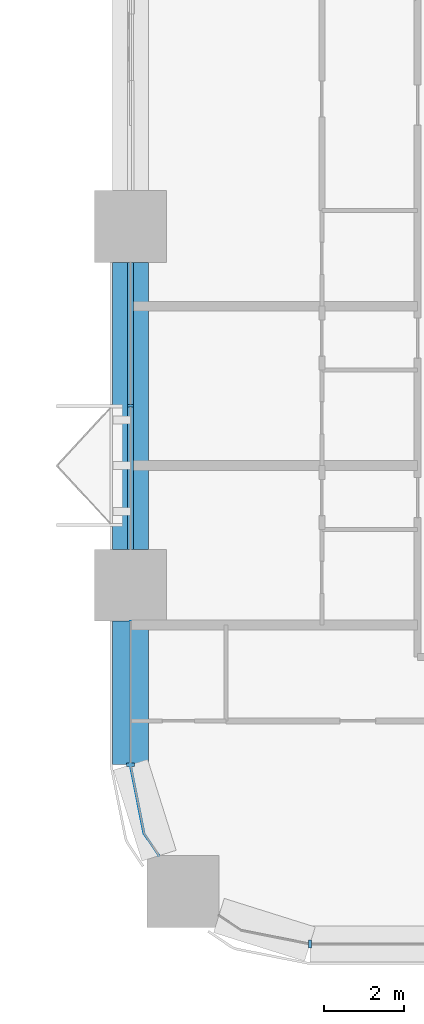
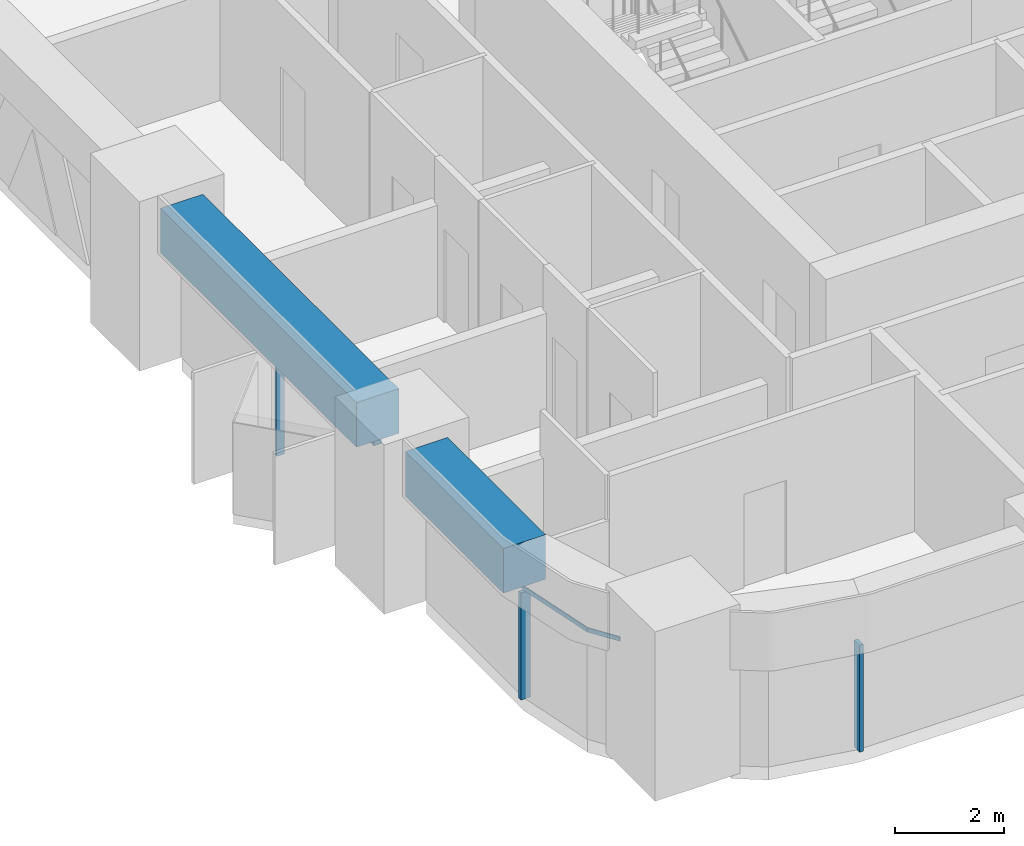
# One storey, part 2 of 24: 5 members, 2 beams, 3 elements without a shape of their own.
"""IFC4 building model written with IfcOpenShell, lengths in metres."""

from ifc_helpers import new_model, si_unit, direction, frame, origin, origin_2d, place, context, subcontext, project, spatial, polyline, rectangle, outline, extrude, material, material_profile, profile_set, type_object, element, aggregate, save


model = new_model("IFC4")

# Units and contexts
model_context = context("Model", 3, precision=1e-05, world=origin(), true_north=direction((0.0, 1.0)))
body_context = subcontext(model_context, "Body", "Model", "MODEL_VIEW")
ifc_project = project(units=[si_unit("LENGTHUNIT", "METRE"), si_unit("AREAUNIT", "SQUARE_METRE"), si_unit("VOLUMEUNIT", "CUBIC_METRE"), si_unit("PLANEANGLEUNIT", "RADIAN"), si_unit("MASSUNIT", "GRAM", prefix="KILO")], contexts=[model_context])

# Site, building, storey
site_placement = place(None, origin())
site = spatial("IfcSite", under=ifc_project, at=site_placement, CompositionType="ELEMENT")
building_placement = place(site_placement, origin())
building = spatial("IfcBuilding", under=site, at=building_placement, Name="Tessera Arch", CompositionType="ELEMENT")
storey_placement = place(building_placement, frame((0.0, 0.0, 81.60009765625)))
storey = spatial("IfcBuildingStorey", under=building, at=storey_placement, Name="L18", CompositionType="ELEMENT", Elevation=81.60009765625)

# Curtain wall, members
ifc_material_1 = material(Name="CW1 curtain wall")
curtain_wall_type_1 = type_object("IfcCurtainWallType", Name="CW1 curtain wall", PredefinedType="NOTDEFINED", material=ifc_material_1)
curtain_wall_1_placement = place(storey_placement, origin())
curtain_wall_1 = element("IfcCurtainWall", 1, at=curtain_wall_1_placement, inside=storey, type_object=curtain_wall_type_1, Name="CW1 curtain wall W27.0/1 L18", PredefinedType="NOTDEFINED")
ifc_material_2 = material(Name="Anodised aluminium pale metal", Category="aluminium")
ifc_material_profile_1 = material_profile(ifc_material_2, rectangle(XDim=0.159912109375, YDim=0.06005859375, at=origin_2d()), Name="AL 60x160")
ifc_profile_set_1 = profile_set([ifc_material_profile_1], Name="Anodised aluminium pale metal")
member_type_1 = type_object("IfcMemberType", Name="CW1 mullion", PredefinedType="MULLION", material=ifc_profile_set_1)
member_1_placement = place(storey_placement, frame((27.0, 13.5, 0.0), z_axis=(0.0, 0.0, 1.0), x_axis=(1.0, 0.0, 0.0)))
member_1 = element("IfcMember", 2, at=member_1_placement, type_object=member_type_1, Name="CW1 mullion W27.0/1 1", PredefinedType="MULLION", context=body_context, shape_type="SweptSolid", body=[
    extrude(rectangle(XDim=0.159912109375, YDim=0.06005859375, at=origin_2d()), origin(), (0.0, 0.0, 1.0), 2.39990234375),
])
ifc_material_3 = material(Name="Anodised aluminium pale metal", Category="aluminium")
ifc_material_profile_2 = material_profile(ifc_material_3, rectangle(XDim=0.159912109375, YDim=0.10009765625, at=origin_2d()), Name="AL 160x100")
ifc_profile_set_2 = profile_set([ifc_material_profile_2], Name="Anodised aluminium pale metal")
member_type_2 = type_object("IfcMemberType", Name="CW1 transom", PredefinedType="USERDEFINED", material=ifc_profile_set_2)
member_2_placement = place(storey_placement, frame((27.0, 17.10009765625, 2.449951171875), z_axis=(0.0, -1.0, 0.0), x_axis=(1.0, 0.0, 0.0)))
member_2 = element("IfcMember", 3, at=member_2_placement, type_object=member_type_2, Name="CW1 transom W27.0/1 1.1", ObjectType="TRANSOM", PredefinedType="USERDEFINED", context=body_context, shape_type="SweptSolid", body=[
    extrude(rectangle(XDim=0.159912109375, YDim=0.10009765625, at=origin_2d()), origin(), (0.0, 0.0, 1.0), 7.2001953125),
])
aggregate(curtain_wall_1, [member_1, member_2])

# Curtain wall, member
ifc_material_4 = material(Name="CW2 curtain wall")
curtain_wall_type_2 = type_object("IfcCurtainWallType", Name="CW2 curtain wall", PredefinedType="NOTDEFINED", material=ifc_material_4)
curtain_wall_2_placement = place(storey_placement, origin())
curtain_wall_2 = element("IfcCurtainWall", 4, at=curtain_wall_2_placement, inside=storey, type_object=curtain_wall_type_2, Name="CW2 curtain wall W27.0/2 L18", PredefinedType="NOTDEFINED")
ifc_material_5 = material(Name="Anodised aluminium pale metal", Category="aluminium")
ifc_material_profile_3 = material_profile(ifc_material_5, rectangle(XDim=0.199951171875, YDim=0.080078125, at=origin_2d()), Name="AL 80x200")
ifc_profile_set_3 = profile_set([ifc_material_profile_3], Name="Anodised aluminium pale metal")
member_type_3 = type_object("IfcMemberType", Name="CW2 mullion", PredefinedType="MULLION", material=ifc_profile_set_3)
member_3_placement = place(storey_placement, frame((27.0, 4.5, 0.0), z_axis=(0.0, 0.0, 1.0), x_axis=(1.0, 0.0, 0.0)))
member_3 = element("IfcMember", 5, at=member_3_placement, type_object=member_type_3, Name="CW2 mullion W27.0/2 1", PredefinedType="MULLION", context=body_context, shape_type="SweptSolid", body=[
    extrude(rectangle(XDim=0.199951171875, YDim=0.080078125, at=origin_2d()), origin(), (0.0, 0.0, 1.0), 2.39990234375),
])

curtain_wall_3_placement = place(storey_placement, origin())
curtain_wall_3 = element("IfcCurtainWall", 6, at=curtain_wall_3_placement, inside=storey, type_object=curtain_wall_type_2, Name="CW2 curtain wall S0.27/0 L18", PredefinedType="NOTDEFINED")
member_4_placement = place(storey_placement, frame((31.5, 0.0, 0.0), z_axis=(0.0, 0.0, 1.0), x_axis=(0.0, 1.0, 0.0)))
member_4 = element("IfcMember", 7, at=member_4_placement, type_object=member_type_3, Name="CW2 mullion S0.27/0 1", PredefinedType="MULLION", context=body_context, shape_type="SweptSolid", body=[
    extrude(rectangle(XDim=0.199951171875, YDim=0.080078125, at=origin_2d()), origin(), (0.0, 0.0, 1.0), 2.39990234375),
])
aggregate(curtain_wall_3, [member_4])

# Member
ifc_material_6 = material(Name="Anodised aluminium pale metal", Category="aluminium")
ifc_material_profile_4 = material_profile(ifc_material_6, rectangle(XDim=0.199951171875, YDim=0.10009765625, at=origin_2d()), Name="AL 200x100")
ifc_profile_set_4 = profile_set([ifc_material_profile_4], Name="Anodised aluminium pale metal")
member_type_4 = type_object("IfcMemberType", Name="CW2 transom", PredefinedType="USERDEFINED", material=ifc_profile_set_4)
member_5_placement = place(storey_placement, frame((0.0, 0.0, 2.39990234375)))
member_5 = element("IfcMember", 8, at=member_5_placement, type_object=member_type_4, Name="CW2 transom W27.0/2 1", ObjectType="TRANSOM", PredefinedType="USERDEFINED", context=body_context, shape_type="SweptSolid", body=[
    extrude(outline(polyline([(27.010009765625, 4.5009765625), (27.010009765625, 8.10009765625), (26.989990234375, 8.10009765625), (26.989990234375, 4.4990234375), (27.3330078125, 2.77392578125), (27.70849609375, 2.21240234375), (27.72509765625, 2.2236328125), (27.351806640625, 2.78173828125), (27.010009765625, 4.5009765625)])), origin(), (0.0, 0.0, 1.0), 0.10009765625),
])

aggregate(curtain_wall_2, [member_3, member_5])

# Beams
ifc_material_7 = material(Name="Concrete C80/95", Category="concrete")
ifc_material_profile_5 = material_profile(ifc_material_7, rectangle(XDim=0.89990234375, YDim=1.0, at=origin_2d()), Name="RC spandrel beam 900 x 1000 Concrete C80/95")
ifc_profile_set_5 = profile_set([ifc_material_profile_5], Name="Concrete C80/95")
beam_type = type_object("IfcBeamType", Name="RC spandrel beam 900 x 1000 Concrete C80/95", PredefinedType="BEAM", material=ifc_profile_set_5)
beam_1_placement = place(storey_placement, frame((27.0, 17.10009765625, 3.0), z_axis=(0.0, -1.0, 0.0), x_axis=(1.0, 0.0, 0.0)))
element("IfcBeam", 9, at=beam_1_placement, inside=storey, type_object=beam_type, Name="Spandrel beam L18 W27.0/1", PredefinedType="BEAM", context=body_context, shape_type="SweptSolid", body=[
    extrude(rectangle(XDim=0.89990234375, YDim=1.0, at=origin_2d()), origin(), (0.0, 0.0, 1.0), 7.2001953125),
])
beam_2_placement = place(storey_placement, frame((27.0, 8.10009765625, 3.0), z_axis=(0.0, -1.0, 0.0), x_axis=(1.0, 0.0, 0.0)))
element("IfcBeam", 10, at=beam_2_placement, inside=storey, type_object=beam_type, Name="Spandrel beam L18 W27.0/2.1", PredefinedType="BEAM", context=body_context, shape_type="SweptSolid", body=[
    extrude(rectangle(XDim=0.89990234375, YDim=1.0, at=origin_2d()), origin(), (0.0, 0.0, 1.0), 3.60009765625),
])

save(model, "model.ifc")
